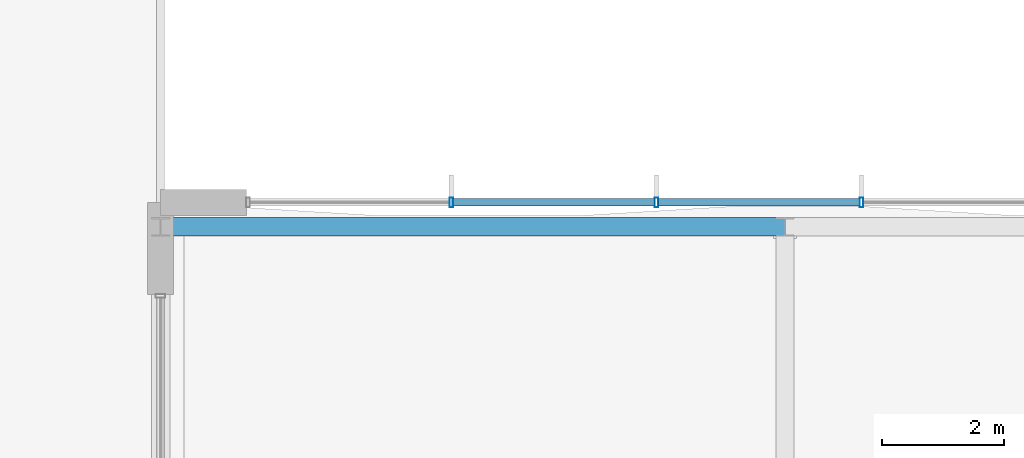
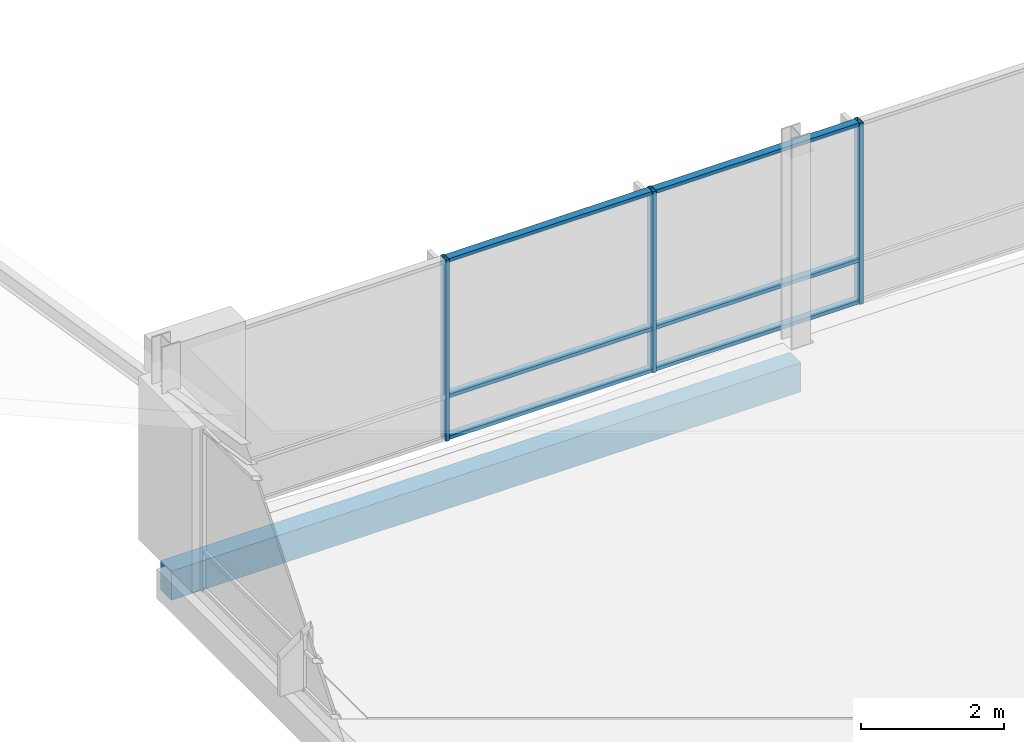
# One storey, part 55 of 189: 9 members, 1 beam, 1 element without a shape of its own.
"""IFC4 building model written with IfcOpenShell, lengths in metres."""

from ifc_helpers import new_model, si_unit, direction, frame, origin, origin_2d, place, context, subcontext, project, spatial, rectangle, hollow_rectangle, extrude, material, material_profile, profile_set, type_object, element, aggregate, save


model = new_model("IFC4")

# Units and contexts
model_context = context("Model", 3, precision=1e-05, world=origin(), true_north=direction((0.0, 1.0)))
body_context = subcontext(model_context, "Body", "Model", "MODEL_VIEW")
ifc_project = project(units=[si_unit("LENGTHUNIT", "METRE"), si_unit("AREAUNIT", "SQUARE_METRE"), si_unit("VOLUMEUNIT", "CUBIC_METRE"), si_unit("PLANEANGLEUNIT", "RADIAN"), si_unit("MASSUNIT", "GRAM", prefix="KILO")], contexts=[model_context])

# Site, building, storey
site_placement = place(None, origin())
site = spatial("IfcSite", under=ifc_project, at=site_placement, CompositionType="ELEMENT")
building_placement = place(site_placement, origin())
building = spatial("IfcBuilding", under=site, at=building_placement, Name="Zavelmont Quarter", CompositionType="ELEMENT")
storey_placement = place(building_placement, frame((0.0, 0.0, 4.39990234375)))
storey = spatial("IfcBuildingStorey", under=building, at=storey_placement, Name="L01", CompositionType="ELEMENT", Elevation=4.39990234375)

# Beam
ifc_material_1 = material(Name="Concrete C35/45", Category="concrete")
ifc_material_profile_1 = material_profile(ifc_material_1, rectangle(XDim=0.300048828125, YDim=0.5, at=origin_2d()), Name="RC300X500")
ifc_profile_set_1 = profile_set([ifc_material_profile_1], Name="Concrete C35/45")
beam_type = type_object("IfcBeamType", Name="BM03", PredefinedType="BEAM", material=ifc_profile_set_1)
beam_placement = place(storey_placement, frame((92.0, 14.0, -0.52978515625), z_axis=(1.0, 0.0, 0.0), x_axis=(0.0, 1.0, 0.0)))
element("IfcBeam", 1, at=beam_placement, inside=storey, type_object=beam_type, Name="L01 beam BM03 14/C to 16/C", PredefinedType="BEAM", context=body_context, shape_type="SweptSolid", body=[
    extrude(rectangle(XDim=0.300048828125, YDim=0.5, at=origin_2d()), origin(), (0.0, 0.0, 1.0), 10.199951171875),
])

# Curtain wall, members
ifc_material_2 = material(Name="Thermally broken aluminium and double low-E safety glazing", Category="aluminium")
curtain_wall_type = type_object("IfcCurtainWallType", Name="CW-1340X310", PredefinedType="NOTDEFINED", material=ifc_material_2)
curtain_wall_placement = place(storey_placement, origin())
curtain_wall = element("IfcCurtainWall", 2, at=curtain_wall_placement, inside=storey, type_object=curtain_wall_type, Name="L01 unitised curtain wall CW-1340X310", PredefinedType="NOTDEFINED")
ifc_material_3 = material(Name="Powder-coated aluminium EN AW-6063-T6", Category="aluminium")
ifc_material_profile_2 = material_profile(ifc_material_3, hollow_rectangle(XDim=0.06005859375, YDim=0.159912109375, WallThickness=0.00390625, at=origin_2d()), Name="CWM60X160")
ifc_profile_set_2 = profile_set([ifc_material_profile_2], Name="Powder-coated aluminium EN AW-6063-T6")
member_type_1 = type_object("IfcMemberType", Name="CWM01", PredefinedType="MULLION", material=ifc_profile_set_2)
member_1_placement = place(storey_placement, frame((96.75, 14.39990234375, 0.0), z_axis=(0.0, 0.0, 1.0), x_axis=(1.0, 0.0, 0.0)))
member_1 = element("IfcMember", 3, at=member_1_placement, type_object=member_type_1, Name="CW-1340X310 mullion 2", PredefinedType="MULLION", context=body_context, shape_type="SweptSolid", body=[
    extrude(hollow_rectangle(XDim=0.06005859375, YDim=0.159912109375, WallThickness=0.00390625, at=origin_2d()), origin(), (0.0, 0.0, 1.0), 3.10009765625),
])
member_2_placement = place(storey_placement, frame((100.10009765625, 14.39990234375, 0.0), z_axis=(0.0, 0.0, 1.0), x_axis=(1.0, 0.0, 0.0)))
member_2 = element("IfcMember", 4, at=member_2_placement, type_object=member_type_1, Name="CW-1340X310 mullion 3", PredefinedType="MULLION", context=body_context, shape_type="SweptSolid", body=[
    extrude(hollow_rectangle(XDim=0.06005859375, YDim=0.159912109375, WallThickness=0.00390625, at=origin_2d()), origin(), (0.0, 0.0, 1.0), 3.10009765625),
])
member_3_placement = place(storey_placement, frame((103.449951171875, 14.39990234375, 0.0), z_axis=(0.0, 0.0, 1.0), x_axis=(1.0, 0.0, 0.0)))
member_3 = element("IfcMember", 5, at=member_3_placement, type_object=member_type_1, Name="CW-1340X310 mullion 4", PredefinedType="MULLION", context=body_context, shape_type="SweptSolid", body=[
    extrude(hollow_rectangle(XDim=0.06005859375, YDim=0.159912109375, WallThickness=0.00390625, at=origin_2d()), origin(), (0.0, 0.0, 1.0), 3.10009765625),
])
ifc_material_profile_3 = material_profile(ifc_material_3, hollow_rectangle(XDim=0.1201171875, YDim=0.06005859375, WallThickness=0.00390625, at=origin_2d()), Name="CWT60X120")
ifc_profile_set_3 = profile_set([ifc_material_profile_3], Name="Powder-coated aluminium EN AW-6063-T6")
member_type_2 = type_object("IfcMemberType", Name="CWT01", PredefinedType="NOTDEFINED", material=ifc_profile_set_3)
member_4_placement = place(storey_placement, frame((96.780029296875, 14.39990234375, 0.030029296875), z_axis=(1.0, 0.0, 0.0), x_axis=(0.0, 1.0, 0.0)))
member_4 = element("IfcMember", 6, at=member_4_placement, type_object=member_type_2, Name="CW-1340X310 transom 2.1", ObjectType="TRANSOM", PredefinedType="USERDEFINED", context=body_context, shape_type="SweptSolid", body=[
    extrude(hollow_rectangle(XDim=0.1201171875, YDim=0.06005859375, WallThickness=0.00390625, at=origin_2d()), origin(), (0.0, 0.0, 1.0), 3.2900390625),
])
member_5_placement = place(storey_placement, frame((96.780029296875, 14.39990234375, 0.744140625), z_axis=(1.0, 0.0, 0.0), x_axis=(0.0, 1.0, 0.0)))
member_5 = element("IfcMember", 7, at=member_5_placement, type_object=member_type_2, Name="CW-1340X310 transom 2.2", ObjectType="TRANSOM", PredefinedType="USERDEFINED", context=body_context, shape_type="SweptSolid", body=[
    extrude(hollow_rectangle(XDim=0.1201171875, YDim=0.06005859375, WallThickness=0.00390625, at=origin_2d()), origin(), (0.0, 0.0, 1.0), 3.2900390625),
])
member_6_placement = place(storey_placement, frame((96.780029296875, 14.39990234375, 3.070068359375), z_axis=(1.0, 0.0, 0.0), x_axis=(0.0, 1.0, 0.0)))
member_6 = element("IfcMember", 8, at=member_6_placement, type_object=member_type_2, Name="CW-1340X310 transom 2.3", ObjectType="TRANSOM", PredefinedType="USERDEFINED", context=body_context, shape_type="SweptSolid", body=[
    extrude(hollow_rectangle(XDim=0.1201171875, YDim=0.06005859375, WallThickness=0.00390625, at=origin_2d()), origin(), (0.0, 0.0, 1.0), 3.2900390625),
])
member_7_placement = place(storey_placement, frame((100.1298828125, 14.39990234375, 0.030029296875), z_axis=(1.0, 0.0, 0.0), x_axis=(0.0, 1.0, 0.0)))
member_7 = element("IfcMember", 9, at=member_7_placement, type_object=member_type_2, Name="CW-1340X310 transom 3.1", ObjectType="TRANSOM", PredefinedType="USERDEFINED", context=body_context, shape_type="SweptSolid", body=[
    extrude(hollow_rectangle(XDim=0.1201171875, YDim=0.06005859375, WallThickness=0.00390625, at=origin_2d()), origin(), (0.0, 0.0, 1.0), 3.2900390625),
])
member_8_placement = place(storey_placement, frame((100.1298828125, 14.39990234375, 0.744140625), z_axis=(1.0, 0.0, 0.0), x_axis=(0.0, 1.0, 0.0)))
member_8 = element("IfcMember", 10, at=member_8_placement, type_object=member_type_2, Name="CW-1340X310 transom 3.2", ObjectType="TRANSOM", PredefinedType="USERDEFINED", context=body_context, shape_type="SweptSolid", body=[
    extrude(hollow_rectangle(XDim=0.1201171875, YDim=0.06005859375, WallThickness=0.00390625, at=origin_2d()), origin(), (0.0, 0.0, 1.0), 3.2900390625),
])
member_9_placement = place(storey_placement, frame((100.1298828125, 14.39990234375, 3.070068359375), z_axis=(1.0, 0.0, 0.0), x_axis=(0.0, 1.0, 0.0)))
member_9 = element("IfcMember", 11, at=member_9_placement, type_object=member_type_2, Name="CW-1340X310 transom 3.3", ObjectType="TRANSOM", PredefinedType="USERDEFINED", context=body_context, shape_type="SweptSolid", body=[
    extrude(hollow_rectangle(XDim=0.1201171875, YDim=0.06005859375, WallThickness=0.00390625, at=origin_2d()), origin(), (0.0, 0.0, 1.0), 3.2900390625),
])
aggregate(curtain_wall, [member_1, member_2, member_3, member_4, member_5, member_6, member_7, member_8, member_9])

save(model, "model.ifc")
